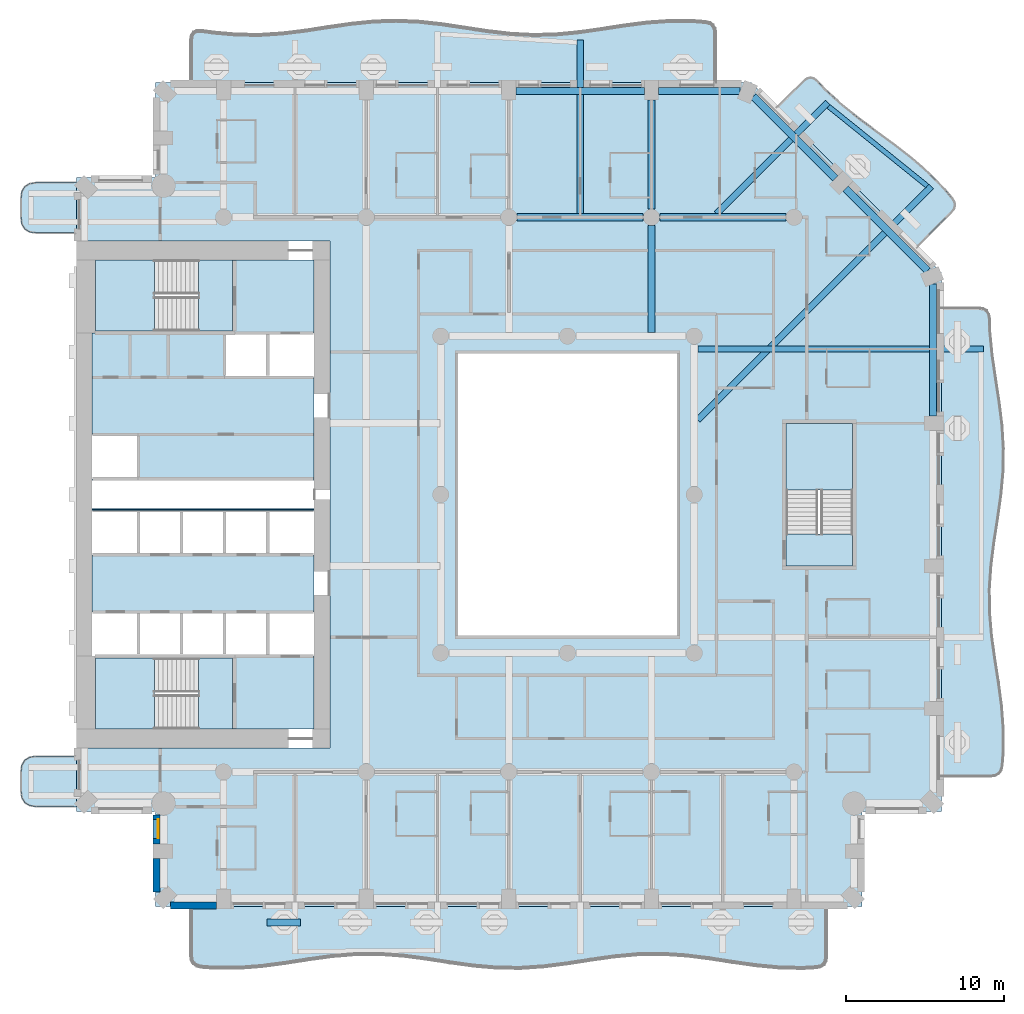
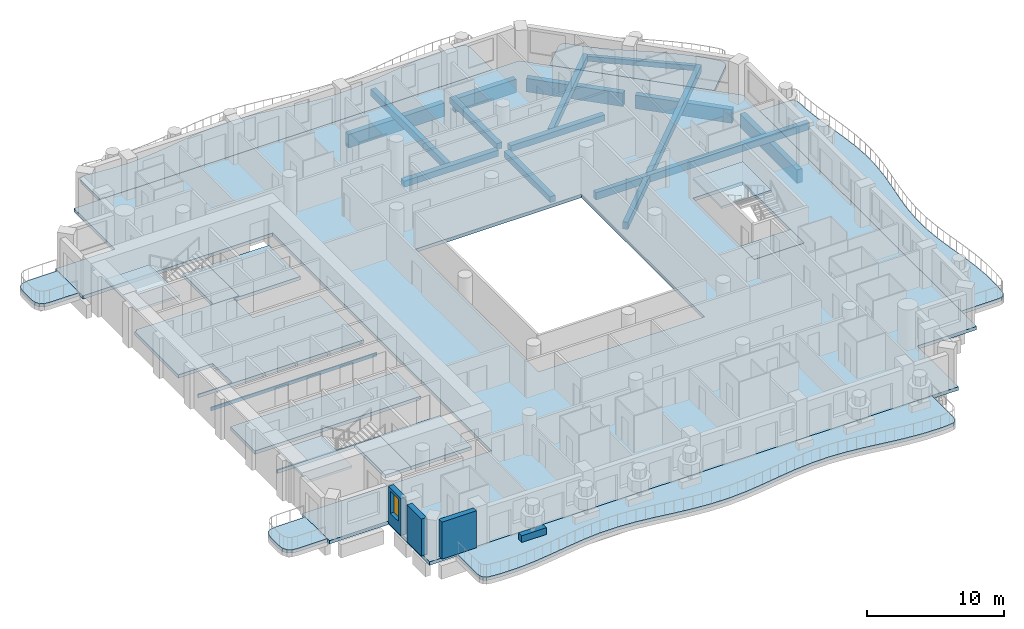
# One storey, part 2 of 20: 17 slabs, 14 beams, 4 walls, 1 window, 1 opening, 3 elements without a shape of their own.
"""IFC4 building model written with IfcOpenShell, lengths in metres."""

from ifc_helpers import new_model, si_unit, direction, frame, frame_2d, origin, origin_2d, place, context, subcontext, project, spatial, polyline, rectangle, outline, extrude, material, layer, layer_set, material_profile, profile_set, type_object, element, fill, aggregate, save


model = new_model("IFC4")

# Units and contexts
model_context = context("Model", 3, precision=1e-05, world=origin(), true_north=direction((0.0, 1.0)))
body_context = subcontext(model_context, "Body", "Model", "MODEL_VIEW")
ifc_project = project(units=[si_unit("LENGTHUNIT", "METRE"), si_unit("AREAUNIT", "SQUARE_METRE"), si_unit("VOLUMEUNIT", "CUBIC_METRE"), si_unit("PLANEANGLEUNIT", "RADIAN"), si_unit("MASSUNIT", "GRAM", prefix="KILO")], contexts=[model_context])

# Site, building, storey
site_placement = place(None, origin())
site = spatial("IfcSite", under=ifc_project, at=site_placement, CompositionType="ELEMENT")
building_placement = place(site_placement, origin())
building = spatial("IfcBuilding", under=site, at=building_placement, Name="Cypress Arch Tower", CompositionType="ELEMENT")
storey_placement = place(building_placement, frame((0.0, 0.0, 116.699951171875)))
storey = spatial("IfcBuildingStorey", under=building, at=storey_placement, Name="L24", CompositionType="ELEMENT", Elevation=116.699951171875)

# Beams
ifc_material_1 = material(Name="Concrete C50/60", Category="concrete")
ifc_material_profile_1 = material_profile(ifc_material_1, rectangle(XDim=0.300048828125, YDim=0.449951171875, at=origin_2d()), Name="RC 300x450")
ifc_profile_set_1 = profile_set([ifc_material_profile_1], Name="Concrete C50/60")
beam_type_1 = type_object("IfcBeamType", Name="Balcony edge beam RC 300x450 Concrete C50/60", PredefinedType="BEAM", material=ifc_profile_set_1)
beam_1_placement = place(storey_placement, frame((23.702880859375, 19.473388671875, -0.52490234375), z_axis=(-0.77853414424, 0.627602251631, 0.0), x_axis=(-0.627602251631, -0.77853414424, 0.0)))
element("IfcBeam", 1, at=beam_1_placement, inside=storey, type_object=beam_type_1, Name="Balcony edge beam L24 A07", PredefinedType="BEAM", context=body_context, shape_type="SweptSolid", body=[
    extrude(rectangle(XDim=0.300048828125, YDim=0.449951171875, at=origin_2d()), origin(), (0.0, 0.0, 1.0), 8.0068359375),
])
ifc_material_2 = material(Name="Concrete C50/60", Category="concrete")
ifc_material_profile_2 = material_profile(ifc_material_2, rectangle(XDim=0.39990234375, YDim=0.64990234375, at=origin_2d()), Name="RC 400x650")
ifc_profile_set_2 = profile_set([ifc_material_profile_2], Name="Concrete C50/60")
beam_type_2 = type_object("IfcBeamType", Name="Cantilever beam RC 400x650 Concrete C50/60", PredefinedType="BEAM", material=ifc_profile_set_2)
beam_2_placement = place(storey_placement, frame((9.22509765625, 9.18798828125, -0.625), z_axis=(1.0, 0.0, 0.0), x_axis=(0.0, 1.0, 0.0)))
element("IfcBeam", 2, at=beam_2_placement, inside=storey, type_object=beam_type_2, Name="Cantilever beam L24 A06 2", PredefinedType="BEAM", context=body_context, shape_type="SweptSolid", body=[
    extrude(rectangle(XDim=0.39990234375, YDim=0.64990234375, at=origin_2d()), origin(), (0.0, 0.0, 1.0), 18.022216796875),
])
beam_3_placement = place(storey_placement, frame((9.22509765625, 4.712890625, -0.625), z_axis=(0.707100919332, 0.707112642993, 0.0), x_axis=(-0.707112642993, 0.707100919332, 0.0)))
element("IfcBeam", 3, at=beam_3_placement, inside=storey, type_object=beam_type_2, Name="Cantilever beam L24 A07 1", PredefinedType="BEAM", context=body_context, shape_type="SweptSolid", body=[
    extrude(rectangle(XDim=0.39990234375, YDim=0.64990234375, at=origin_2d()), origin(), (0.0, 0.0, 1.0), 20.82470703125),
])
beam_4_placement = place(storey_placement, frame((10.412841796875, 17.72509765625, -0.625), z_axis=(0.707106781187, 0.707106781187, 0.0), x_axis=(-0.707106781187, 0.707106781187, 0.0)))
element("IfcBeam", 4, at=beam_4_placement, inside=storey, type_object=beam_type_2, Name="Cantilever beam L24 A07 2", PredefinedType="BEAM", context=body_context, shape_type="SweptSolid", body=[
    extrude(rectangle(XDim=0.39990234375, YDim=0.64990234375, at=origin_2d()), origin(), (0.0, 0.0, 1.0), 9.92919921875),
])
beam_5_placement = place(storey_placement, frame((1.800048828125, 17.72509765625, -0.625), z_axis=(0.0, 1.0, 0.0), x_axis=(-1.0, 0.0, 0.0)))
element("IfcBeam", 5, at=beam_5_placement, inside=storey, type_object=beam_type_2, Name="Cantilever beam L24 A08 1", PredefinedType="BEAM", context=body_context, shape_type="SweptSolid", body=[
    extrude(rectangle(XDim=0.39990234375, YDim=0.64990234375, at=origin_2d()), origin(), (0.0, 0.0, 1.0), 10.9619140625),
])
ifc_material_3 = material(Name="Concrete C50/60", Category="concrete")
ifc_material_profile_3 = material_profile(ifc_material_3, rectangle(XDim=0.449951171875, YDim=0.550048828125, at=origin_2d()), Name="RC 450x550")
ifc_profile_set_3 = profile_set([ifc_material_profile_3], Name="Concrete C50/60")
beam_type_3 = type_object("IfcBeamType", Name="Floor beam RC 450x550 Concrete C50/60", PredefinedType="BEAM", material=ifc_profile_set_3)
for number, where, z_axis, x_axis, name in (
    (6, (-2.175048828125, 17.5, -0.574951171875), (1.0, 0.0, 0.0), (0.0, 1.0, 0.0), "Floor beam L24 FB017"),
    (7, (6.824951171875, 17.5, -0.574951171875), (1.0, 0.0, 0.0), (0.0, 1.0, 0.0), "Floor beam L24 FB018"),
):
    element("IfcBeam", number, at=place(storey_placement, frame(where, z_axis=z_axis, x_axis=x_axis)), inside=storey, type_object=beam_type_3, Name=name, PredefinedType="BEAM", context=body_context, shape_type="SweptSolid", body=[
        extrude(rectangle(XDim=0.449951171875, YDim=0.550048828125, at=origin_2d()), origin(), (0.0, 0.0, 1.0), 7.949951171875),
    ])
beam_6_placement = place(storey_placement, frame((6.300048828125, 10.22509765625, -0.574951171875), z_axis=(0.0, 1.0, 0.0), x_axis=(-1.0, 0.0, 0.0)))
element("IfcBeam", 8, at=beam_6_placement, inside=storey, type_object=beam_type_3, Name="Floor beam L24 FB032", PredefinedType="BEAM", context=body_context, shape_type="SweptSolid", body=[
    extrude(rectangle(XDim=0.449951171875, YDim=0.550048828125, at=origin_2d()), origin(), (0.0, 0.0, 1.0), 6.75),
])
beam_7_placement = place(storey_placement, frame((6.300048828125, 18.02490234375, -0.574951171875), z_axis=(0.0, 1.0, 0.0), x_axis=(-1.0, 0.0, 0.0)))
element("IfcBeam", 9, at=beam_7_placement, inside=storey, type_object=beam_type_3, Name="Floor beam L24 FB033", PredefinedType="BEAM", context=body_context, shape_type="SweptSolid", body=[
    extrude(rectangle(XDim=0.449951171875, YDim=0.550048828125, at=origin_2d()), origin(), (0.0, 0.0, 1.0), 6.875),
])
ifc_material_4 = material(Name="Concrete C50/60", Category="concrete")
ifc_material_profile_4 = material_profile(ifc_material_4, rectangle(XDim=0.449951171875, YDim=1.199951171875, at=origin_2d()), Name="RC 450x1200")
ifc_profile_set_4 = profile_set([ifc_material_profile_4], Name="Concrete C50/60")
beam_type_4 = type_object("IfcBeamType", Name="Spandrel beam RC 450x1200 Concrete C50/60", PredefinedType="SPANDREL", material=ifc_profile_set_4)
beam_8_placement = place(storey_placement, frame((24.074951171875, 4.949951171875, -1.550048828125), z_axis=(0.0, 1.0, 0.0), x_axis=(-1.0, 0.0, 0.0)))
element("IfcBeam", 10, at=beam_8_placement, inside=storey, type_object=beam_type_4, Name="Spandrel beam L24 BA06-3", PredefinedType="SPANDREL", context=body_context, shape_type="SweptSolid", body=[
    extrude(rectangle(XDim=0.449951171875, YDim=1.199951171875, at=origin_2d()), origin(), (0.0, 0.0, 1.0), 8.345458984375),
])
for number, where, z_axis, x_axis, name in (
    (11, (23.73046875, 14.126953125, -1.550048828125), (-0.707106781187, 0.707106781187, 0.0), (-0.707106781187, -0.707106781187, 0.0), "Spandrel beam L24 BA07-0"),
    (12, (17.91064453125, 19.947021484375, -1.550048828125), (-0.707106781187, 0.707106781187, 0.0), (-0.707106781187, -0.707106781187, 0.0), "Spandrel beam L24 BA07-1"),
):
    element("IfcBeam", number, at=place(storey_placement, frame(where, z_axis=z_axis, x_axis=x_axis)), inside=storey, type_object=beam_type_4, Name=name, PredefinedType="SPANDREL", context=body_context, shape_type="SweptSolid", body=[
        extrude(rectangle(XDim=0.449951171875, YDim=1.199951171875, at=origin_2d()), origin(), (0.0, 0.0, 1.0), 7.330810546875),
    ])
beam_9_placement = place(storey_placement, frame((11.8955078125, 25.47509765625, -1.550048828125), z_axis=(-1.0, 0.0, 0.0), x_axis=(0.0, -1.0, 0.0)))
element("IfcBeam", 13, at=beam_9_placement, inside=storey, type_object=beam_type_4, Name="Spandrel beam L24 BA08-0", PredefinedType="SPANDREL", context=body_context, shape_type="SweptSolid", body=[
    extrude(rectangle(XDim=0.449951171875, YDim=1.199951171875, at=origin_2d()), origin(), (0.0, 0.0, 1.0), 5.1455078125),
])
beam_10_placement = place(storey_placement, frame((5.85009765625, 25.47509765625, -1.550048828125), z_axis=(-1.0, 0.0, 0.0), x_axis=(0.0, -1.0, 0.0)))
element("IfcBeam", 14, at=beam_10_placement, inside=storey, type_object=beam_type_4, Name="Spandrel beam L24 BA08-1", PredefinedType="SPANDREL", context=body_context, shape_type="SweptSolid", body=[
    extrude(rectangle(XDim=0.449951171875, YDim=1.199951171875, at=origin_2d()), origin(), (0.0, 0.0, 1.0), 8.10009765625),
])

# Slabs
ifc_material_5 = material(Name="Concrete C40/50", Category="concrete")
ifc_layer_1 = layer(ifc_material_5, 0.300048828125)
ifc_layer_set_1 = layer_set([ifc_layer_1], Name="Balcony slab BS300")
slab_type_1 = type_object("IfcSlabType", Name="Balcony slab BS300", PredefinedType="USERDEFINED", material=ifc_layer_set_1)
slab_1_placement = place(storey_placement, frame((0.0, 0.0, -0.300048828125)))
element("IfcSlab", 15, at=slab_1_placement, inside=storey, type_object=slab_type_1, Name="Balcony slab L24-A00W0", ObjectType="BALCONY SLAB", PredefinedType="USERDEFINED", context=body_context, shape_type="SweptSolid", body=[
    extrude(outline(polyline([(-30.0, 19.699951171875), (-32.5, 19.699951171875), (-32.9375, 19.637451171875), (-33.25, 19.449951171875), (-33.4375, 19.137451171875), (-33.5, 18.699951171875), (-33.5, 17.5), (-33.4375, 17.0625), (-33.25, 16.75), (-32.9375, 16.5625), (-32.5, 16.5), (-30.0, 16.5), (-30.0, 19.699951171875)])), origin(), (0.0, 0.0, 1.0), 0.300048828125),
])
slab_2_placement = place(storey_placement, frame((0.0, 0.0, -0.300048828125)))
element("IfcSlab", 16, at=slab_2_placement, inside=storey, type_object=slab_type_1, Name="Balcony slab L24-A00W1", ObjectType="BALCONY SLAB", PredefinedType="USERDEFINED", context=body_context, shape_type="SweptSolid", body=[
    extrude(outline(polyline([(-30.0, -16.5), (-32.5, -16.5), (-32.9375, -16.5625), (-33.25, -16.75), (-33.4375, -17.0625), (-33.5, -17.5), (-33.5, -18.699951171875), (-33.4375, -19.137451171875), (-33.25, -19.449951171875), (-32.9375, -19.637451171875), (-32.5, -19.699951171875), (-30.0, -19.699951171875), (-30.0, -16.5)])), origin(), (0.0, 0.0, 1.0), 0.300048828125),
])
slab_3_placement = place(storey_placement, frame((0.0, 0.0, -0.300048828125)))
element("IfcSlab", 17, at=slab_3_placement, inside=storey, type_object=slab_type_1, Name="Balcony slab L24-A03", ObjectType="BALCONY SLAB", PredefinedType="USERDEFINED", context=body_context, shape_type="SweptSolid", body=[
    extrude(outline(polyline([(-22.75, -26.0), (-22.75, -29.097900390625), (-22.708251953125, -29.394287109375), (-22.5830078125, -29.613525390625), (-22.3740234375, -29.755615234375), (-22.081787109375, -29.8203125), (-21.264892578125, -29.884033203125), (-19.779541015625, -29.8857421875), (-18.29443359375, -29.773193359375), (-16.809326171875, -29.575439453125), (-15.323974609375, -29.3447265625), (-13.8388671875, -29.141845703125), (-12.353759765625, -29.019775390625), (-10.868408203125, -29.010986328125), (-9.38330078125, -29.117431640625), (-7.898193359375, -29.311279296875), (-6.412841796875, -29.54150390625), (-4.927734375, -29.747802734375), (-3.442626953125, -29.8759765625), (-1.95751953125, -29.891845703125), (-0.47216796875, -29.7919921875), (1.012939453125, -29.60205078125), (2.498046875, -29.3720703125), (3.9833984375, -29.162841796875), (5.468505859375, -29.02880859375), (6.95361328125, -29.005615234375), (8.43896484375, -29.09912109375), (9.924072265625, -29.284912109375), (11.4091796875, -29.51416015625), (12.89453125, -29.726318359375), (14.379638671875, -29.865966796875), (15.86474609375, -29.896240234375), (16.681640625, -29.8486328125), (16.97412109375, -29.78955078125), (17.182861328125, -29.65185546875), (17.308349609375, -29.435302734375), (17.35009765625, -29.139892578125), (17.35009765625, -26.0), (-22.75, -26.0)])), origin(), (0.0, 0.0, 1.0), 0.300048828125),
])
slab_4_placement = place(storey_placement, frame((0.0, 0.0, -0.300048828125)))
element("IfcSlab", 18, at=slab_4_placement, inside=storey, type_object=slab_type_1, Name="Balcony slab L24-A06", ObjectType="BALCONY SLAB", PredefinedType="USERDEFINED", context=body_context, shape_type="SweptSolid", body=[
    extrude(outline(polyline([(24.60009765625, -17.75), (27.702392578125, -17.75), (27.996826171875, -17.70849609375), (28.21484375, -17.583984375), (28.355712890625, -17.376708984375), (28.420166015625, -17.086181640625), (28.483642578125, -16.27490234375), (28.486572265625, -14.800048828125), (28.37646484375, -13.324951171875), (28.181640625, -11.85009765625), (27.95263671875, -10.375), (27.748779296875, -8.89990234375), (27.623291015625, -7.425048828125), (27.608154296875, -5.949951171875), (27.707763671875, -4.47509765625), (27.89599609375, -3.0), (28.124267578125, -1.52490234375), (28.333251953125, -0.050048828125), (28.46875, 1.425048828125), (28.49560546875, 2.89990234375), (28.406982421875, 4.375), (28.225830078125, 5.85009765625), (27.9990234375, 7.324951171875), (27.785400390625, 8.800048828125), (27.640625, 10.27490234375), (27.619140625, 11.086181640625), (27.570068359375, 11.376708984375), (27.440185546875, 11.583984375), (27.229248046875, 11.70849609375), (26.937744140625, 11.75), (24.60009765625, 11.75), (24.60009765625, -17.75)])), origin(), (0.0, 0.0, 1.0), 0.300048828125),
])
slab_5_placement = place(storey_placement, frame((0.0, 0.0, -0.300048828125)))
element("IfcSlab", 19, at=slab_5_placement, inside=storey, type_object=slab_type_1, Name="Balcony slab L24-A07", ObjectType="BALCONY SLAB", PredefinedType="USERDEFINED", context=body_context, shape_type="SweptSolid", body=[
    extrude(outline(polyline([(23.009033203125, 15.591064453125), (25.231201171875, 17.813232421875), (25.3994140625, 18.036376953125), (25.461669921875, 18.263916015625), (25.417724609375, 18.495849609375), (25.26806640625, 18.73193359375), (24.7724609375, 19.314208984375), (23.802001953125, 20.302978515625), (22.759521484375, 21.22021484375), (21.65966796875, 22.079833984375), (20.52978515625, 22.90966796875), (19.404541015625, 23.743896484375), (18.3173828125, 24.6162109375), (17.292724609375, 25.551025390625), (16.76904296875, 26.105224609375), (16.55419921875, 26.276123046875), (16.337646484375, 26.335205078125), (16.119384765625, 26.2822265625), (15.899658203125, 26.11767578125), (14.19091796875, 24.408935546875), (23.009033203125, 15.591064453125)])), origin(), (0.0, 0.0, 1.0), 0.300048828125),
])
slab_6_placement = place(storey_placement, frame((0.0, 0.0, -0.300048828125)))
element("IfcSlab", 20, at=slab_6_placement, inside=storey, type_object=slab_type_1, Name="Balcony slab L24-A08", ObjectType="BALCONY SLAB", PredefinedType="USERDEFINED", context=body_context, shape_type="SweptSolid", body=[
    extrude(outline(polyline([(10.35009765625, 26.0), (10.35009765625, 29.11865234375), (10.3095703125, 29.406005859375), (10.18798828125, 29.61865234375), (9.98583984375, 29.75634765625), (9.702392578125, 29.8193359375), (8.910888671875, 29.882080078125), (7.4716796875, 29.88916015625), (6.03271484375, 29.787841796875), (4.593505859375, 29.60302734375), (3.154296875, 29.38037109375), (1.71533203125, 29.1748046875), (0.276123046875, 29.037353515625), (-1.1630859375, 29.001953125), (-2.602294921875, 29.0771484375), (-4.041259765625, 29.244384765625), (-5.48046875, 29.462646484375), (-6.919677734375, 29.677734375), (-8.358642578125, 29.83642578125), (-9.7978515625, 29.899658203125), (-11.237060546875, 29.851806640625), (-12.676025390625, 29.704833984375), (-14.115234375, 29.49462890625), (-15.554443359375, 29.2734375), (-16.993408203125, 29.095947265625), (-18.4326171875, 29.005859375), (-19.871826171875, 29.025634765625), (-21.310791015625, 29.150146484375), (-22.102294921875, 29.25927734375), (-22.3857421875, 29.257568359375), (-22.588134765625, 29.1630859375), (-22.70947265625, 28.975341796875), (-22.75, 28.695068359375), (-22.75, 26.0), (10.35009765625, 26.0)])), origin(), (0.0, 0.0, 1.0), 0.300048828125),
])
ifc_material_6 = material(Name="Concrete C40/50", Category="concrete")
ifc_layer_2 = layer(ifc_material_6, 0.300048828125)
ifc_layer_set_2 = layer_set([ifc_layer_2], Name="Core floor CF300")
slab_type_2 = type_object("IfcSlabType", Name="Core floor CF300", PredefinedType="FLOOR", material=ifc_layer_set_2)
slab_7_placement = place(storey_placement, frame((0.0, 0.0, -0.300048828125)))
element("IfcSlab", 21, at=slab_7_placement, inside=storey, type_object=slab_type_2, Name="Core floor", PredefinedType="FLOOR", context=body_context, shape_type="SweptSolid", body=[
    extrude(outline(polyline([(-20.125, -14.800048828125), (-15.0, -14.800048828125), (-15.0, -10.199951171875), (-17.919921875, -10.199951171875), (-20.639892578125, -10.199951171875), (-23.360107421875, -10.199951171875), (-26.080078125, -10.199951171875), (-28.800048828125, -10.199951171875), (-28.800048828125, -10.324951171875), (-22.27490234375, -10.324951171875), (-20.125, -10.324951171875), (-20.125, -14.800048828125)])), origin(), (0.0, 0.0, 1.0), 0.300048828125),
])
slab_8_placement = place(storey_placement, frame((0.0, 0.0, -0.300048828125)))
element("IfcSlab", 22, at=slab_8_placement, inside=storey, type_object=slab_type_2, Name="Core floor", PredefinedType="FLOOR", context=body_context, shape_type="SweptSolid", body=[
    extrude(outline(polyline([(-29.0, -3.800048828125), (-29.0, -7.39990234375), (-26.080078125, -7.39990234375), (-23.360107421875, -7.39990234375), (-20.639892578125, -7.39990234375), (-17.919921875, -7.39990234375), (-15.0, -7.39990234375), (-15.0, -3.800048828125), (-17.919921875, -3.800048828125), (-20.639892578125, -3.800048828125), (-23.360107421875, -3.800048828125), (-26.080078125, -3.800048828125), (-29.0, -3.800048828125)])), origin(), (0.0, 0.0, 1.0), 0.300048828125),
])
slab_9_placement = place(storey_placement, frame((0.0, 0.0, -0.300048828125)))
element("IfcSlab", 23, at=slab_9_placement, inside=storey, type_object=slab_type_2, Name="Core floor", PredefinedType="FLOOR", context=body_context, shape_type="SweptSolid", body=[
    extrude(outline(polyline([(-29.0, 3.800048828125), (-29.0, 10.199951171875), (-28.800048828125, 10.199951171875), (-28.800048828125, 10.324951171875), (-28.60009765625, 10.324951171875), (-22.27490234375, 10.324951171875), (-20.125, 10.324951171875), (-20.125, 14.800048828125), (-15.39990234375, 14.800048828125), (-15.0, 14.800048828125), (-15.0, 10.199951171875), (-15.39990234375, 10.199951171875), (-17.919921875, 10.199951171875), (-20.639892578125, 10.199951171875), (-20.639892578125, 7.39990234375), (-17.919921875, 7.39990234375), (-15.39990234375, 7.39990234375), (-15.0, 7.39990234375), (-15.0, 0.89990234375), (-28.60009765625, 0.89990234375), (-29.0, 0.89990234375), (-29.0, 1.0), (-28.60009765625, 1.0), (-26.080078125, 1.0), (-26.080078125, 3.800048828125), (-28.60009765625, 3.800048828125), (-29.0, 3.800048828125)])), origin(), (0.0, 0.0, 1.0), 0.300048828125),
])
slab_10_placement = place(storey_placement, frame((0.0, 0.0, -0.300048828125)))
element("IfcSlab", 24, at=slab_10_placement, inside=storey, type_object=slab_type_2, Name="Core floor", PredefinedType="FLOOR", context=body_context, shape_type="SweptSolid", body=[
    extrude(outline(polyline([(-22.27490234375, -10.324951171875), (-22.27490234375, -14.800048828125), (-20.125, -14.800048828125), (-20.125, -10.324951171875), (-22.27490234375, -10.324951171875)])), origin(), (0.0, 0.0, 1.0), 0.300048828125),
])
slab_11_placement = place(storey_placement, frame((0.0, 0.0, -0.300048828125)))
element("IfcSlab", 25, at=slab_11_placement, inside=storey, type_object=slab_type_2, Name="Core floor", PredefinedType="FLOOR", context=body_context, shape_type="SweptSolid", body=[
    extrude(outline(polyline([(-20.125, 14.800048828125), (-22.27490234375, 14.800048828125), (-22.27490234375, 10.324951171875), (-20.125, 10.324951171875), (-20.125, 14.800048828125)])), origin(), (0.0, 0.0, 1.0), 0.300048828125),
])
slab_12_placement = place(storey_placement, frame((0.0, 0.0, -0.300048828125)))
element("IfcSlab", 26, at=slab_12_placement, inside=storey, type_object=slab_type_2, Name="Stair floor landing", PredefinedType="FLOOR", context=body_context, shape_type="SweptSolid", body=[
    extrude(outline(polyline([(19.0, -4.5), (19.0, -2.5), (14.800048828125, -2.5), (14.800048828125, -4.5), (19.0, -4.5)])), origin(), (0.0, 0.0, 1.0), 0.300048828125),
])
slab_13_placement = place(storey_placement, frame((0.0, 0.0, -0.300048828125)))
element("IfcSlab", 27, at=slab_13_placement, inside=storey, type_object=slab_type_2, Name="Core floor", PredefinedType="FLOOR", context=body_context, shape_type="SweptSolid", body=[
    extrude(outline(polyline([(-20.639892578125, -1.0), (-23.360107421875, -1.0), (-26.080078125, -1.0), (-28.60009765625, -1.0), (-29.0, -1.0), (-29.0, -0.89990234375), (-28.60009765625, -0.89990234375), (-15.39990234375, -0.89990234375), (-15.0, -0.89990234375), (-15.0, -1.0), (-15.39990234375, -1.0), (-17.919921875, -1.0), (-20.639892578125, -1.0)])), origin(), (0.0, 0.0, 1.0), 0.300048828125),
])
ifc_material_7 = material(Name="Concrete C40/50", Category="concrete")
ifc_layer_3 = layer(ifc_material_7, 0.300048828125)
ifc_layer_set_3 = layer_set([ifc_layer_3], Name="PT flat slab 300 Concrete C40/50")
slab_type_3 = type_object("IfcSlabType", Name="PT flat slab 300 Concrete C40/50", PredefinedType="FLOOR", material=ifc_layer_set_3)
slab_14_placement = place(storey_placement, frame((0.0, 0.0, -0.300048828125)))
element("IfcSlab", 28, at=slab_14_placement, inside=storey, type_object=slab_type_3, Name="Floor slab L24", PredefinedType="FLOOR", context=body_context, shape_type="SweptSolid", body=[
    extrude(outline(polyline([(-30.0, 20.0), (-25.0, 20.0), (-25.0, 26.0), (12.60009765625, 26.0), (24.60009765625, 14.0), (24.60009765625, -20.0), (19.60009765625, -20.0), (19.60009765625, -26.0), (-25.0, -26.0), (-25.0, -20.0), (-30.0, -20.0), (-30.0, -16.0), (-14.0, -16.0), (-14.0, 16.0), (-30.0, 16.0), (-30.0, 20.0)]), holes=[polyline([(-6.0, -9.0), (8.0, -9.0), (8.0, 9.0), (-6.0, 9.0), (-6.0, -9.0)]), polyline([(14.800048828125, -4.5), (19.0, -4.5), (19.0, 4.5), (14.800048828125, 4.5), (14.800048828125, -4.5)])]), origin(), (0.0, 0.0, 1.0), 0.300048828125),
])

# Stair, slab
ifc_material_8 = material(Name="Concrete C40/50", Category="concrete")
stair_type_1 = type_object("IfcStairType", Name="Exit stair ES1636-215", PredefinedType="HALF_TURN_STAIR", material=ifc_material_8)
stair_1_placement = place(storey_placement, origin())
stair_1 = element("IfcStair", 29, at=stair_1_placement, inside=storey, type_object=stair_type_1, Name="L24 Exit stair A", PredefinedType="HALF_TURN_STAIR")
ifc_material_9 = material(Name="Concrete C40/50", Category="concrete")
ifc_layer_4 = layer(ifc_material_9, 0.199951171875)
ifc_layer_set_4 = layer_set([ifc_layer_4], Name="Stair landing SL200")
slab_type_4 = type_object("IfcSlabType", Name="Stair landing SL200", PredefinedType="LANDING", material=ifc_layer_set_4)
slab_15_placement = place(storey_placement, frame((0.0, 0.0, 1.60009765625)))
slab_15 = element("IfcSlab", 30, at=slab_15_placement, type_object=slab_type_4, Name="A landing 1", PredefinedType="LANDING", context=body_context, shape_type="SweptSolid", body=[
    extrude(outline(polyline([(-25.074951171875, -10.324951171875), (-28.800048828125, -10.324951171875), (-28.800048828125, -14.800048828125), (-25.074951171875, -14.800048828125), (-25.074951171875, -10.324951171875)])), origin(), (0.0, 0.0, 1.0), 0.199951171875),
])
aggregate(stair_1, [slab_15])

stair_2_placement = place(storey_placement, origin())
stair_2 = element("IfcStair", 31, at=stair_2_placement, inside=storey, type_object=stair_type_1, Name="L24 Exit stair B", PredefinedType="HALF_TURN_STAIR")
slab_16_placement = place(storey_placement, frame((0.0, 0.0, 1.60009765625)))
slab_16 = element("IfcSlab", 32, at=slab_16_placement, type_object=slab_type_4, Name="B landing 1", PredefinedType="LANDING", context=body_context, shape_type="SweptSolid", body=[
    extrude(outline(polyline([(-25.074951171875, 14.800048828125), (-28.800048828125, 14.800048828125), (-28.800048828125, 10.324951171875), (-25.074951171875, 10.324951171875), (-25.074951171875, 14.800048828125)])), origin(), (0.0, 0.0, 1.0), 0.199951171875),
])
aggregate(stair_2, [slab_16])

ifc_material_10 = material(Name="Concrete C40/50", Category="concrete")
stair_type_2 = type_object("IfcStairType", Name="Exit stair ES1636-200", PredefinedType="HALF_TURN_STAIR", material=ifc_material_10)
stair_3_placement = place(storey_placement, origin())
stair_3 = element("IfcStair", 33, at=stair_3_placement, inside=storey, type_object=stair_type_2, Name="L24 Exit stair C", PredefinedType="HALF_TURN_STAIR")
slab_17_placement = place(storey_placement, frame((0.0, 0.0, 1.60009765625)))
slab_17 = element("IfcSlab", 34, at=slab_17_placement, type_object=slab_type_4, Name="C landing 1", PredefinedType="LANDING", context=body_context, shape_type="SweptSolid", body=[
    extrude(outline(polyline([(19.0, 0.300048828125), (19.0, 4.5), (14.800048828125, 4.5), (14.800048828125, 0.300048828125), (19.0, 0.300048828125)])), origin(), (0.0, 0.0, 1.0), 0.199951171875),
])
aggregate(stair_3, [slab_17])

# Wall
ifc_material_11 = material(Name="Concrete C40/50, waterproofed", Category="concrete")
ifc_layer_5 = layer(ifc_material_11, 0.449951171875)
ifc_layer_set_5 = layer_set([ifc_layer_5], Name="Balcony planter wall PW450")
wall_type_1 = type_object("IfcWallType", Name="Balcony planter wall PW450", PredefinedType="SOLIDWALL", material=ifc_layer_set_5)
wall_1_placement = place(storey_placement, frame((-17.949951171875, -27.0, 0.0), z_axis=(0.0, 0.0, 1.0), x_axis=(1.0, 0.0, 0.0)))
element("IfcWall", 35, at=wall_1_placement, inside=storey, type_object=wall_type_1, Name="Balcony planter wall L24-A03.1", PredefinedType="SOLIDWALL", context=body_context, shape_type="SweptSolid", body=[
    extrude(rectangle(XDim=2.099853515625, YDim=0.449951171875, at=frame_2d((1.0498046875, 0.0))), origin(), (0.0, 0.0, 1.0), 0.60009765625),
])

# Wall, opening, window
ifc_material_12 = material(Name="Brick (red buff blend)", Category="masonry")
ifc_layer_6 = layer(ifc_material_12, 0.449951171875)
ifc_layer_set_6 = layer_set([ifc_layer_6], Name="Brick pier and spandrel wall BW450")
wall_type_2 = type_object("IfcWallType", Name="Brick pier and spandrel wall BW450", PredefinedType="SOLIDWALL", material=ifc_layer_set_6)
wall_2_placement = place(storey_placement, frame((-24.925048828125, -20.20703125, 0.0), z_axis=(0.0, 0.0, 1.0), x_axis=(0.0, -1.0, 0.0)))
wall_2 = element("IfcWall", 36, at=wall_2_placement, inside=storey, type_object=wall_type_2, Name="Brick wall L24 A02.0", PredefinedType="SOLIDWALL", context=body_context, shape_type="SweptSolid", body=[
    extrude(rectangle(XDim=1.843017578125, YDim=0.449951171875, at=frame_2d((0.92138671875, 0.0))), origin(), (0.0, 0.0, 1.0), 3.300048828125),
])
opening_placement = place(wall_2_placement, frame((0.29296875, 0.0, 1.050048828125)))
opening = element("IfcOpeningElement", 37, at=opening_placement, cuts=wall_2, Name="Opening W120H", PredefinedType="OPENING", context=body_context, shape_type="SweptSolid", body=[
    extrude(rectangle(XDim=1.199951171875, YDim=2.0, at=frame_2d((0.60009765625, 1.0))), frame((0.0, 0.23486328125, 0.0), z_axis=(0.0, -1.0, 0.0), x_axis=(1.0, 0.0, 0.0)), (0.0, 0.0, 1.0), 0.469970703125),
])
ifc_material_13 = material(Name="Anodised aluminium, bronze finish, clear low-emissivity double glazing", Category="aluminium")
window_type = type_object("IfcWindowType", Name="Window Hotel 1200x2000", PartitioningType="SINGLE_PANEL", PredefinedType="WINDOW", material=ifc_material_13)
window_placement = place(opening_placement, origin())
window = element("IfcWindow", 38, at=window_placement, inside=storey, type_object=window_type, Name="Window L24 A02.0.1", OverallHeight=2.0, OverallWidth=1.199951171875, PartitioningType="SINGLE_PANEL", PredefinedType="WINDOW", context=body_context, shape_type="SweptSolid", body=[
    extrude(rectangle(XDim=1.199951171875, YDim=2.0, at=frame_2d((0.60009765625, 1.0))), frame((0.0, 0.135009765625, 0.0), z_axis=(0.0, -1.0, 0.0), x_axis=(1.0, 0.0, 0.0)), (0.0, 0.0, 1.0), 0.06005859375),
])
fill(opening, window)

# Walls
wall_3_placement = place(storey_placement, frame((-24.925048828125, -22.949951171875, 0.0), z_axis=(0.0, 0.0, 1.0), x_axis=(0.0, -1.0, 0.0)))
element("IfcWall", 39, at=wall_3_placement, inside=storey, type_object=wall_type_2, Name="Brick wall L24 A02.1", PredefinedType="SOLIDWALL", context=body_context, shape_type="SweptSolid", body=[
    extrude(rectangle(XDim=2.11376953125, YDim=0.449951171875, at=frame_2d((1.056884765625, 0.0))), origin(), (0.0, 0.0, 1.0), 3.300048828125),
])
wall_4_placement = place(storey_placement, frame((-24.063720703125, -25.925048828125, 0.0), z_axis=(0.0, 0.0, 1.0), x_axis=(1.0, 0.0, 0.0)))
element("IfcWall", 40, at=wall_4_placement, inside=storey, type_object=wall_type_2, Name="Brick wall L24 A03.0", PredefinedType="SOLIDWALL", context=body_context, shape_type="SweptSolid", body=[
    extrude(rectangle(XDim=2.913818359375, YDim=0.449951171875, at=frame_2d((1.45703125, 0.0))), origin(), (0.0, 0.0, 1.0), 3.300048828125),
])

save(model, "model.ifc")
